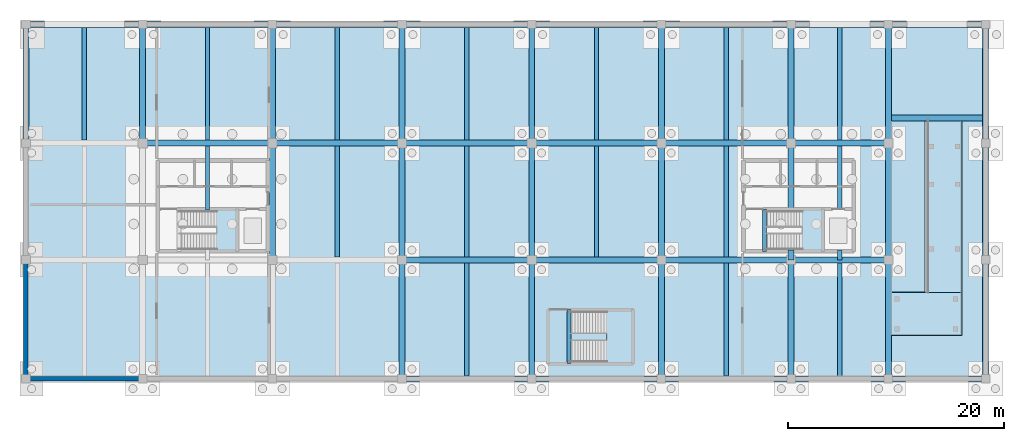
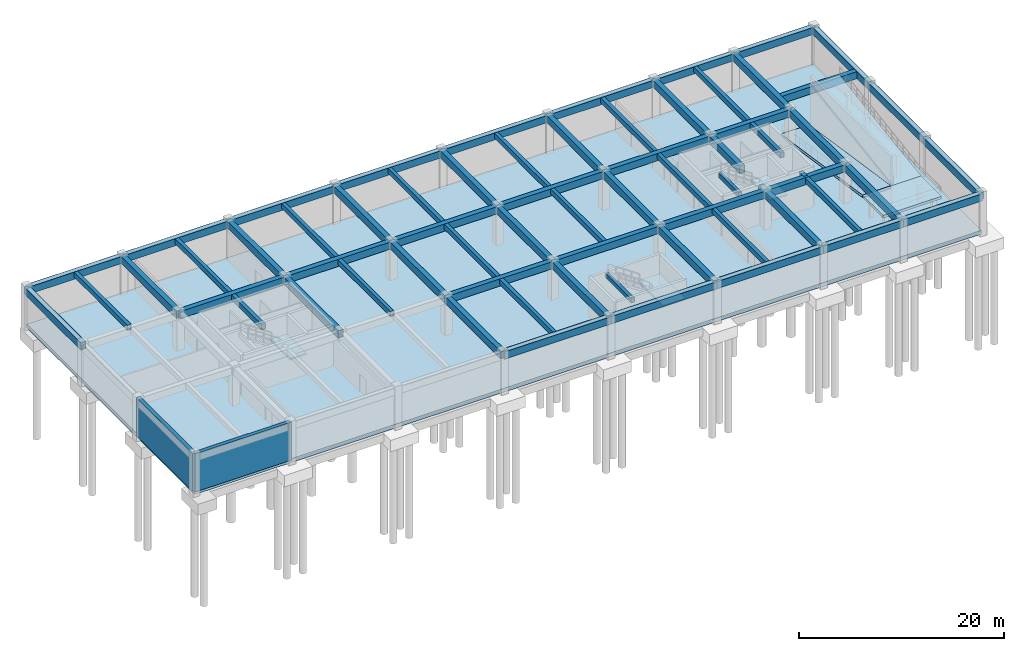
# One storey, part 3 of 8: 66 beams, 7 slabs, 2 walls, 3 elements without a shape of their own.
"""IFC4 building model written with IfcOpenShell, lengths in metres."""

from ifc_helpers import new_model, si_unit, derived_unit, direction, frame, frame_2d, origin, origin_2d, place, context, subcontext, project, spatial, polyline, rectangle, outline, extrude, material, layer, layer_set, material_profile, profile_set, type_object, element, aggregate, save


model = new_model("IFC4")

# Units and contexts
model_context = context("Model", 3, precision=1e-05, world=origin(), true_north=direction((0.0, 1.0)))
body_context = subcontext(model_context, "Body", "Model", "MODEL_VIEW")
ifc_project = project(units=[si_unit("LENGTHUNIT", "METRE"), si_unit("AREAUNIT", "SQUARE_METRE"), si_unit("VOLUMEUNIT", "CUBIC_METRE"), si_unit("PLANEANGLEUNIT", "RADIAN"), si_unit("MASSUNIT", "GRAM", prefix="KILO"), derived_unit("THERMALTRANSMITTANCEUNIT", [(si_unit("POWERUNIT", "WATT"), 1), (si_unit("LENGTHUNIT", "METRE"), -2), (si_unit("THERMODYNAMICTEMPERATUREUNIT", "KELVIN"), -1)])], contexts=[model_context])

# Site, building, storey
site_placement = place(None, origin())
site = spatial("IfcSite", under=ifc_project, at=site_placement, CompositionType="ELEMENT")
building_placement = place(site_placement, origin())
building = spatial("IfcBuilding", under=site, at=building_placement, Name="Almenara Railside Exhibition Hall", CompositionType="ELEMENT")
storey_placement = place(building_placement, frame((0.0, 0.0, -4.800048828125)))
storey = spatial("IfcBuildingStorey", under=building, at=storey_placement, Name="B1", CompositionType="ELEMENT", Elevation=-4.800048828125)

# Beams
ifc_material_1 = material(Name="Concrete C35/45", Category="concrete")
ifc_material_profile_1 = material_profile(ifc_material_1, rectangle(XDim=0.550048828125, YDim=0.85009765625, at=origin_2d()), Name="RC 550x850")
ifc_profile_set_1 = profile_set([ifc_material_profile_1], Name="Concrete C35/45")
beam_type_1 = type_object("IfcBeamType", Name="RC Basement Girder 550x850 C35/45", PredefinedType="BEAM", material=ifc_profile_set_1)
for number, where, z_axis, x_axis, name in (
    (1, (150.0, 0.0, 4.111083984375), (1.0, 0.0, 0.0), (0.0, 1.0, 0.0), "Beam 0004"),
    (2, (162.0, 0.0, 4.111083984375), (1.0, 0.0, 0.0), (0.0, 1.0, 0.0), "Beam 0005"),
    (3, (174.0, 0.0, 4.111083984375), (1.0, 0.0, 0.0), (0.0, 1.0, 0.0), "Beam 0006"),
):
    element("IfcBeam", number, at=place(storey_placement, frame(where, z_axis=z_axis, x_axis=x_axis)), inside=storey, type_object=beam_type_1, Name=name, PredefinedType="BEAM", context=body_context, shape_type="SweptSolid", body=[
        extrude(rectangle(XDim=0.550048828125, YDim=0.85009765625, at=origin_2d()), origin(), (0.0, 0.0, 1.0), 12.0),
    ])
for number, where, z_axis, x_axis, name in (
    (4, (186.0, 0.0, 4.111083984375), (1.0, 0.0, 0.0), (0.0, 1.0, 0.0), "Beam 0007"),
    (5, (195.0, 0.0, 4.111083984375), (1.0, 0.0, 0.0), (0.0, 1.0, 0.0), "Beam 0008"),
):
    element("IfcBeam", number, at=place(storey_placement, frame(where, z_axis=z_axis, x_axis=x_axis)), inside=storey, type_object=beam_type_1, Name=name, PredefinedType="BEAM", context=body_context, shape_type="SweptSolid", body=[
        extrude(rectangle(XDim=0.550048828125, YDim=0.85009765625, at=origin_2d()), origin(), (0.0, 0.0, 1.0), 9.0),
    ])
for number, where, z_axis, x_axis, name in (
    (6, (150.0, 11.0, 4.111083984375), (1.0, 0.0, 0.0), (0.0, 1.0, 0.0), "Beam 0012"),
    (7, (162.0, 11.0, 4.111083984375), (1.0, 0.0, 0.0), (0.0, 1.0, 0.0), "Beam 0013"),
    (8, (174.0, 11.0, 4.111083984375), (1.0, 0.0, 0.0), (0.0, 1.0, 0.0), "Beam 0014"),
):
    element("IfcBeam", number, at=place(storey_placement, frame(where, z_axis=z_axis, x_axis=x_axis)), inside=storey, type_object=beam_type_1, Name=name, PredefinedType="BEAM", context=body_context, shape_type="SweptSolid", body=[
        extrude(rectangle(XDim=0.550048828125, YDim=0.85009765625, at=origin_2d()), origin(), (0.0, 0.0, 1.0), 12.0),
    ])
beam_1_placement = place(storey_placement, frame((186.0, 11.0, 4.111083984375), z_axis=(1.0, 0.0, 0.0), x_axis=(0.0, 1.0, 0.0)))
element("IfcBeam", 9, at=beam_1_placement, inside=storey, type_object=beam_type_1, Name="Beam 0015", PredefinedType="BEAM", context=body_context, shape_type="SweptSolid", body=[
    extrude(rectangle(XDim=0.550048828125, YDim=0.85009765625, at=origin_2d()), origin(), (0.0, 0.0, 1.0), 9.0),
])
for number, where, z_axis, x_axis, name in (
    (10, (126.0, 21.800048828125, 4.111083984375), (1.0, 0.0, 0.0), (0.0, 1.0, 0.0), "Beam 0017"),
    (11, (138.0, 21.800048828125, 4.111083984375), (1.0, 0.0, 0.0), (0.0, 1.0, 0.0), "Beam 0018"),
    (12, (150.0, 21.800048828125, 4.111083984375), (1.0, 0.0, 0.0), (0.0, 1.0, 0.0), "Beam 0019"),
    (13, (162.0, 21.800048828125, 4.111083984375), (1.0, 0.0, 0.0), (0.0, 1.0, 0.0), "Beam 0020"),
    (14, (174.0, 21.800048828125, 4.111083984375), (1.0, 0.0, 0.0), (0.0, 1.0, 0.0), "Beam 0021"),
):
    element("IfcBeam", number, at=place(storey_placement, frame(where, z_axis=z_axis, x_axis=x_axis)), inside=storey, type_object=beam_type_1, Name=name, PredefinedType="BEAM", context=body_context, shape_type="SweptSolid", body=[
        extrude(rectangle(XDim=0.550048828125, YDim=0.85009765625, at=origin_2d()), origin(), (0.0, 0.0, 1.0), 12.0),
    ])
beam_2_placement = place(storey_placement, frame((186.0, 21.800048828125, 4.111083984375), z_axis=(1.0, 0.0, 0.0), x_axis=(0.0, 1.0, 0.0)))
element("IfcBeam", 15, at=beam_2_placement, inside=storey, type_object=beam_type_1, Name="Beam 0022", PredefinedType="BEAM", context=body_context, shape_type="SweptSolid", body=[
    extrude(rectangle(XDim=0.550048828125, YDim=0.85009765625, at=origin_2d()), origin(), (0.0, 0.0, 1.0), 9.0),
])
beam_3_placement = place(storey_placement, frame((115.199951171875, 32.800048828125, 4.111083984375), z_axis=(1.0, 0.0, 0.0), x_axis=(0.0, 1.0, 0.0)))
element("IfcBeam", 16, at=beam_3_placement, inside=storey, type_object=beam_type_1, Name="Beam 0023", PredefinedType="BEAM", context=body_context, shape_type="SweptSolid", body=[
    extrude(rectangle(XDim=0.550048828125, YDim=0.85009765625, at=origin_2d()), origin(), (0.0, 0.0, 1.0), 10.800048828125),
])
for number, where, z_axis, x_axis, name in (
    (17, (126.0, 32.800048828125, 4.111083984375), (1.0, 0.0, 0.0), (0.0, 1.0, 0.0), "Beam 0024"),
    (18, (138.0, 32.800048828125, 4.111083984375), (1.0, 0.0, 0.0), (0.0, 1.0, 0.0), "Beam 0025"),
    (19, (150.0, 32.800048828125, 4.111083984375), (1.0, 0.0, 0.0), (0.0, 1.0, 0.0), "Beam 0026"),
    (20, (162.0, 32.800048828125, 4.111083984375), (1.0, 0.0, 0.0), (0.0, 1.0, 0.0), "Beam 0027"),
    (21, (174.0, 32.800048828125, 4.111083984375), (1.0, 0.0, 0.0), (0.0, 1.0, 0.0), "Beam 0028"),
):
    element("IfcBeam", number, at=place(storey_placement, frame(where, z_axis=z_axis, x_axis=x_axis)), inside=storey, type_object=beam_type_1, Name=name, PredefinedType="BEAM", context=body_context, shape_type="SweptSolid", body=[
        extrude(rectangle(XDim=0.550048828125, YDim=0.85009765625, at=origin_2d()), origin(), (0.0, 0.0, 1.0), 12.0),
    ])
for number, where, z_axis, x_axis, name in (
    (22, (186.0, 32.800048828125, 4.111083984375), (1.0, 0.0, 0.0), (0.0, 1.0, 0.0), "Beam 0029"),
    (23, (195.0, 32.800048828125, 4.111083984375), (1.0, 0.0, 0.0), (0.0, 1.0, 0.0), "Beam 0030"),
):
    element("IfcBeam", number, at=place(storey_placement, frame(where, z_axis=z_axis, x_axis=x_axis)), inside=storey, type_object=beam_type_1, Name=name, PredefinedType="BEAM", context=body_context, shape_type="SweptSolid", body=[
        extrude(rectangle(XDim=0.550048828125, YDim=0.85009765625, at=origin_2d()), origin(), (0.0, 0.0, 1.0), 9.0),
    ])
for number, where, z_axis, x_axis, name in (
    (24, (115.199951171875, 21.800048828125, 4.111083984375), (0.0, 1.0, 0.0), (-1.0, 0.0, 0.0), "Beam 0033"),
    (25, (126.0, 21.800048828125, 4.111083984375), (0.0, 1.0, 0.0), (-1.0, 0.0, 0.0), "Beam 0036"),
):
    element("IfcBeam", number, at=place(storey_placement, frame(where, z_axis=z_axis, x_axis=x_axis)), inside=storey, type_object=beam_type_1, Name=name, PredefinedType="BEAM", context=body_context, shape_type="SweptSolid", body=[
        extrude(rectangle(XDim=0.550048828125, YDim=0.85009765625, at=origin_2d()), origin(), (0.0, 0.0, 1.0), 11.0),
    ])
beam_4_placement = place(storey_placement, frame((138.0, 11.0, 4.111083984375), z_axis=(0.0, 1.0, 0.0), x_axis=(-1.0, 0.0, 0.0)))
element("IfcBeam", 26, at=beam_4_placement, inside=storey, type_object=beam_type_1, Name="Beam 0038", PredefinedType="BEAM", context=body_context, shape_type="SweptSolid", body=[
    extrude(rectangle(XDim=0.550048828125, YDim=0.85009765625, at=origin_2d()), origin(), (0.0, 0.0, 1.0), 10.800048828125),
])
for number, where, z_axis, x_axis, name in (
    (27, (138.0, 21.800048828125, 4.111083984375), (0.0, 1.0, 0.0), (-1.0, 0.0, 0.0), "Beam 0039"),
    (28, (150.0, 0.0, 4.111083984375), (0.0, 1.0, 0.0), (-1.0, 0.0, 0.0), "Beam 0040"),
):
    element("IfcBeam", number, at=place(storey_placement, frame(where, z_axis=z_axis, x_axis=x_axis)), inside=storey, type_object=beam_type_1, Name=name, PredefinedType="BEAM", context=body_context, shape_type="SweptSolid", body=[
        extrude(rectangle(XDim=0.550048828125, YDim=0.85009765625, at=origin_2d()), origin(), (0.0, 0.0, 1.0), 11.0),
    ])
beam_5_placement = place(storey_placement, frame((150.0, 11.0, 4.111083984375), z_axis=(0.0, 1.0, 0.0), x_axis=(-1.0, 0.0, 0.0)))
element("IfcBeam", 29, at=beam_5_placement, inside=storey, type_object=beam_type_1, Name="Beam 0041", PredefinedType="BEAM", context=body_context, shape_type="SweptSolid", body=[
    extrude(rectangle(XDim=0.550048828125, YDim=0.85009765625, at=origin_2d()), origin(), (0.0, 0.0, 1.0), 10.800048828125),
])
for number, where, z_axis, x_axis, name in (
    (30, (150.0, 21.800048828125, 4.111083984375), (0.0, 1.0, 0.0), (-1.0, 0.0, 0.0), "Beam 0042"),
    (31, (162.0, 0.0, 4.111083984375), (0.0, 1.0, 0.0), (-1.0, 0.0, 0.0), "Beam 0043"),
):
    element("IfcBeam", number, at=place(storey_placement, frame(where, z_axis=z_axis, x_axis=x_axis)), inside=storey, type_object=beam_type_1, Name=name, PredefinedType="BEAM", context=body_context, shape_type="SweptSolid", body=[
        extrude(rectangle(XDim=0.550048828125, YDim=0.85009765625, at=origin_2d()), origin(), (0.0, 0.0, 1.0), 11.0),
    ])
beam_6_placement = place(storey_placement, frame((162.0, 11.0, 4.111083984375), z_axis=(0.0, 1.0, 0.0), x_axis=(-1.0, 0.0, 0.0)))
element("IfcBeam", 32, at=beam_6_placement, inside=storey, type_object=beam_type_1, Name="Beam 0044", PredefinedType="BEAM", context=body_context, shape_type="SweptSolid", body=[
    extrude(rectangle(XDim=0.550048828125, YDim=0.85009765625, at=origin_2d()), origin(), (0.0, 0.0, 1.0), 10.800048828125),
])
for number, where, z_axis, x_axis, name in (
    (33, (162.0, 21.800048828125, 4.111083984375), (0.0, 1.0, 0.0), (-1.0, 0.0, 0.0), "Beam 0045"),
    (34, (174.0, 0.0, 4.111083984375), (0.0, 1.0, 0.0), (-1.0, 0.0, 0.0), "Beam 0046"),
):
    element("IfcBeam", number, at=place(storey_placement, frame(where, z_axis=z_axis, x_axis=x_axis)), inside=storey, type_object=beam_type_1, Name=name, PredefinedType="BEAM", context=body_context, shape_type="SweptSolid", body=[
        extrude(rectangle(XDim=0.550048828125, YDim=0.85009765625, at=origin_2d()), origin(), (0.0, 0.0, 1.0), 11.0),
    ])
beam_7_placement = place(storey_placement, frame((174.0, 11.0, 4.111083984375), z_axis=(0.0, 1.0, 0.0), x_axis=(-1.0, 0.0, 0.0)))
element("IfcBeam", 35, at=beam_7_placement, inside=storey, type_object=beam_type_1, Name="Beam 0047", PredefinedType="BEAM", context=body_context, shape_type="SweptSolid", body=[
    extrude(rectangle(XDim=0.550048828125, YDim=0.85009765625, at=origin_2d()), origin(), (0.0, 0.0, 1.0), 10.800048828125),
])
for number, where, z_axis, x_axis, name in (
    (36, (174.0, 21.800048828125, 4.111083984375), (0.0, 1.0, 0.0), (-1.0, 0.0, 0.0), "Beam 0048"),
    (37, (186.0, 0.0, 4.111083984375), (0.0, 1.0, 0.0), (-1.0, 0.0, 0.0), "Beam 0049"),
):
    element("IfcBeam", number, at=place(storey_placement, frame(where, z_axis=z_axis, x_axis=x_axis)), inside=storey, type_object=beam_type_1, Name=name, PredefinedType="BEAM", context=body_context, shape_type="SweptSolid", body=[
        extrude(rectangle(XDim=0.550048828125, YDim=0.85009765625, at=origin_2d()), origin(), (0.0, 0.0, 1.0), 11.0),
    ])
beam_8_placement = place(storey_placement, frame((186.0, 11.0, 4.111083984375), z_axis=(0.0, 1.0, 0.0), x_axis=(-1.0, 0.0, 0.0)))
element("IfcBeam", 38, at=beam_8_placement, inside=storey, type_object=beam_type_1, Name="Beam 0050", PredefinedType="BEAM", context=body_context, shape_type="SweptSolid", body=[
    extrude(rectangle(XDim=0.550048828125, YDim=0.85009765625, at=origin_2d()), origin(), (0.0, 0.0, 1.0), 0.89990234375),
])
beam_9_placement = place(storey_placement, frame((186.0, 15.6201171875, 4.111083984375), z_axis=(0.0, 1.0, 0.0), x_axis=(-1.0, 0.0, 0.0)))
element("IfcBeam", 39, at=beam_9_placement, inside=storey, type_object=beam_type_1, Name="Beam 0051", PredefinedType="BEAM", context=body_context, shape_type="SweptSolid", body=[
    extrude(rectangle(XDim=0.550048828125, YDim=0.85009765625, at=origin_2d()), origin(), (0.0, 0.0, 1.0), 6.179931640625),
])
for number, where, z_axis, x_axis, name in (
    (40, (186.0, 21.800048828125, 4.111083984375), (0.0, 1.0, 0.0), (-1.0, 0.0, 0.0), "Beam 0052"),
    (41, (195.0, 0.0, 4.111083984375), (0.0, 1.0, 0.0), (-1.0, 0.0, 0.0), "Beam 0053"),
):
    element("IfcBeam", number, at=place(storey_placement, frame(where, z_axis=z_axis, x_axis=x_axis)), inside=storey, type_object=beam_type_1, Name=name, PredefinedType="BEAM", context=body_context, shape_type="SweptSolid", body=[
        extrude(rectangle(XDim=0.550048828125, YDim=0.85009765625, at=origin_2d()), origin(), (0.0, 0.0, 1.0), 11.0),
    ])
beam_10_placement = place(storey_placement, frame((195.0, 11.0, 4.111083984375), z_axis=(0.0, 1.0, 0.0), x_axis=(-1.0, 0.0, 0.0)))
element("IfcBeam", 42, at=beam_10_placement, inside=storey, type_object=beam_type_1, Name="Beam 0054", PredefinedType="BEAM", context=body_context, shape_type="SweptSolid", body=[
    extrude(rectangle(XDim=0.550048828125, YDim=0.85009765625, at=origin_2d()), origin(), (0.0, 0.0, 1.0), 10.800048828125),
])
for number, where, z_axis, x_axis, name in (
    (43, (195.0, 21.800048828125, 4.111083984375), (0.0, 1.0, 0.0), (-1.0, 0.0, 0.0), "Beam 0055"),
    (44, (204.0, 0.0, 4.111083984375), (0.0, 1.0, 0.0), (-1.0, 0.0, 0.0), "Beam 0056"),
):
    element("IfcBeam", number, at=place(storey_placement, frame(where, z_axis=z_axis, x_axis=x_axis)), inside=storey, type_object=beam_type_1, Name=name, PredefinedType="BEAM", context=body_context, shape_type="SweptSolid", body=[
        extrude(rectangle(XDim=0.550048828125, YDim=0.85009765625, at=origin_2d()), origin(), (0.0, 0.0, 1.0), 11.0),
    ])
beam_11_placement = place(storey_placement, frame((204.0, 11.0, 4.111083984375), z_axis=(0.0, 1.0, 0.0), x_axis=(-1.0, 0.0, 0.0)))
element("IfcBeam", 45, at=beam_11_placement, inside=storey, type_object=beam_type_1, Name="Beam 0057", PredefinedType="BEAM", context=body_context, shape_type="SweptSolid", body=[
    extrude(rectangle(XDim=0.550048828125, YDim=0.85009765625, at=origin_2d()), origin(), (0.0, 0.0, 1.0), 10.800048828125),
])
beam_12_placement = place(storey_placement, frame((204.0, 21.800048828125, 4.111083984375), z_axis=(0.0, 1.0, 0.0), x_axis=(-1.0, 0.0, 0.0)))
element("IfcBeam", 46, at=beam_12_placement, inside=storey, type_object=beam_type_1, Name="Beam 0058", PredefinedType="BEAM", context=body_context, shape_type="SweptSolid", body=[
    extrude(rectangle(XDim=0.550048828125, YDim=0.85009765625, at=origin_2d()), origin(), (0.0, 0.0, 1.0), 11.0),
])
beam_13_placement = place(storey_placement, frame((195.27490234375, 24.14990234375, 4.111083984375), z_axis=(1.0, 0.0, 0.0), x_axis=(0.0, 1.0, 0.0)))
element("IfcBeam", 47, at=beam_13_placement, inside=storey, type_object=beam_type_1, Name="BM-CR-HDR", PredefinedType="BEAM", context=body_context, shape_type="SweptSolid", body=[
    extrude(rectangle(XDim=0.550048828125, YDim=0.85009765625, at=origin_2d()), origin(), (0.0, 0.0, 1.0), 8.4501953125),
])
ifc_material_profile_2 = material_profile(ifc_material_1, rectangle(XDim=0.39990234375, YDim=0.60009765625, at=origin_2d()), Name="RC 400x600")
ifc_profile_set_2 = profile_set([ifc_material_profile_2], Name="Concrete C35/45")
beam_type_2 = type_object("IfcBeamType", Name="RC Secondary Beam 400x600 C35/45", PredefinedType="BEAM", material=ifc_profile_set_2)
beam_14_placement = place(storey_placement, frame((120.60009765625, 22.074951171875, 4.236083984375), z_axis=(0.0, 1.0, 0.0), x_axis=(-1.0, 0.0, 0.0)))
element("IfcBeam", 48, at=beam_14_placement, inside=storey, type_object=beam_type_2, Name="Beam 0061", PredefinedType="BEAM", context=body_context, shape_type="SweptSolid", body=[
    extrude(rectangle(XDim=0.39990234375, YDim=0.60009765625, at=origin_2d()), origin(), (0.0, 0.0, 1.0), 10.449951171875),
])
beam_15_placement = place(storey_placement, frame((132.0, 15.6201171875, 4.236083984375), z_axis=(0.0, 1.0, 0.0), x_axis=(-1.0, 0.0, 0.0)))
element("IfcBeam", 49, at=beam_15_placement, inside=storey, type_object=beam_type_2, Name="Beam 0064", PredefinedType="BEAM", context=body_context, shape_type="SweptSolid", body=[
    extrude(rectangle(XDim=0.39990234375, YDim=0.60009765625, at=origin_2d()), origin(), (0.0, 0.0, 1.0), 5.90478515625),
])
beam_16_placement = place(storey_placement, frame((132.0, 22.074951171875, 4.236083984375), z_axis=(0.0, 1.0, 0.0), x_axis=(-1.0, 0.0, 0.0)))
element("IfcBeam", 50, at=beam_16_placement, inside=storey, type_object=beam_type_2, Name="Beam 0065", PredefinedType="BEAM", context=body_context, shape_type="SweptSolid", body=[
    extrude(rectangle(XDim=0.39990234375, YDim=0.60009765625, at=origin_2d()), origin(), (0.0, 0.0, 1.0), 10.449951171875),
])
beam_17_placement = place(storey_placement, frame((144.0, 11.27490234375, 4.236083984375), z_axis=(0.0, 1.0, 0.0), x_axis=(-1.0, 0.0, 0.0)))
element("IfcBeam", 51, at=beam_17_placement, inside=storey, type_object=beam_type_2, Name="Beam 0067", PredefinedType="BEAM", context=body_context, shape_type="SweptSolid", body=[
    extrude(rectangle(XDim=0.39990234375, YDim=0.60009765625, at=origin_2d()), origin(), (0.0, 0.0, 1.0), 10.25),
])
beam_18_placement = place(storey_placement, frame((144.0, 22.074951171875, 4.236083984375), z_axis=(0.0, 1.0, 0.0), x_axis=(-1.0, 0.0, 0.0)))
element("IfcBeam", 52, at=beam_18_placement, inside=storey, type_object=beam_type_2, Name="Beam 0068", PredefinedType="BEAM", context=body_context, shape_type="SweptSolid", body=[
    extrude(rectangle(XDim=0.39990234375, YDim=0.60009765625, at=origin_2d()), origin(), (0.0, 0.0, 1.0), 10.449951171875),
])
beam_19_placement = place(storey_placement, frame((156.0, 0.27490234375, 4.236083984375), z_axis=(0.0, 1.0, 0.0), x_axis=(-1.0, 0.0, 0.0)))
element("IfcBeam", 53, at=beam_19_placement, inside=storey, type_object=beam_type_2, Name="Beam 0069", PredefinedType="BEAM", context=body_context, shape_type="SweptSolid", body=[
    extrude(rectangle(XDim=0.39990234375, YDim=0.60009765625, at=origin_2d()), origin(), (0.0, 0.0, 1.0), 10.4501953125),
])
beam_20_placement = place(storey_placement, frame((156.0, 11.27490234375, 4.236083984375), z_axis=(0.0, 1.0, 0.0), x_axis=(-1.0, 0.0, 0.0)))
element("IfcBeam", 54, at=beam_20_placement, inside=storey, type_object=beam_type_2, Name="Beam 0070", PredefinedType="BEAM", context=body_context, shape_type="SweptSolid", body=[
    extrude(rectangle(XDim=0.39990234375, YDim=0.60009765625, at=origin_2d()), origin(), (0.0, 0.0, 1.0), 10.25),
])
beam_21_placement = place(storey_placement, frame((156.0, 22.074951171875, 4.236083984375), z_axis=(0.0, 1.0, 0.0), x_axis=(-1.0, 0.0, 0.0)))
element("IfcBeam", 55, at=beam_21_placement, inside=storey, type_object=beam_type_2, Name="Beam 0071", PredefinedType="BEAM", context=body_context, shape_type="SweptSolid", body=[
    extrude(rectangle(XDim=0.39990234375, YDim=0.60009765625, at=origin_2d()), origin(), (0.0, 0.0, 1.0), 10.449951171875),
])
beam_22_placement = place(storey_placement, frame((168.0, 11.27490234375, 4.236083984375), z_axis=(0.0, 1.0, 0.0), x_axis=(-1.0, 0.0, 0.0)))
element("IfcBeam", 56, at=beam_22_placement, inside=storey, type_object=beam_type_2, Name="Beam 0073", PredefinedType="BEAM", context=body_context, shape_type="SweptSolid", body=[
    extrude(rectangle(XDim=0.39990234375, YDim=0.60009765625, at=origin_2d()), origin(), (0.0, 0.0, 1.0), 10.25),
])
beam_23_placement = place(storey_placement, frame((168.0, 22.074951171875, 4.236083984375), z_axis=(0.0, 1.0, 0.0), x_axis=(-1.0, 0.0, 0.0)))
element("IfcBeam", 57, at=beam_23_placement, inside=storey, type_object=beam_type_2, Name="Beam 0074", PredefinedType="BEAM", context=body_context, shape_type="SweptSolid", body=[
    extrude(rectangle(XDim=0.39990234375, YDim=0.60009765625, at=origin_2d()), origin(), (0.0, 0.0, 1.0), 10.449951171875),
])
beam_24_placement = place(storey_placement, frame((180.0, 0.27490234375, 4.236083984375), z_axis=(0.0, 1.0, 0.0), x_axis=(-1.0, 0.0, 0.0)))
element("IfcBeam", 58, at=beam_24_placement, inside=storey, type_object=beam_type_2, Name="Beam 0075", PredefinedType="BEAM", context=body_context, shape_type="SweptSolid", body=[
    extrude(rectangle(XDim=0.39990234375, YDim=0.60009765625, at=origin_2d()), origin(), (0.0, 0.0, 1.0), 10.4501953125),
])
beam_25_placement = place(storey_placement, frame((180.0, 11.27490234375, 4.236083984375), z_axis=(0.0, 1.0, 0.0), x_axis=(-1.0, 0.0, 0.0)))
element("IfcBeam", 59, at=beam_25_placement, inside=storey, type_object=beam_type_2, Name="Beam 0076", PredefinedType="BEAM", context=body_context, shape_type="SweptSolid", body=[
    extrude(rectangle(XDim=0.39990234375, YDim=0.60009765625, at=origin_2d()), origin(), (0.0, 0.0, 1.0), 10.25),
])
beam_26_placement = place(storey_placement, frame((180.0, 22.074951171875, 4.236083984375), z_axis=(0.0, 1.0, 0.0), x_axis=(-1.0, 0.0, 0.0)))
element("IfcBeam", 60, at=beam_26_placement, inside=storey, type_object=beam_type_2, Name="Beam 0077", PredefinedType="BEAM", context=body_context, shape_type="SweptSolid", body=[
    extrude(rectangle(XDim=0.39990234375, YDim=0.60009765625, at=origin_2d()), origin(), (0.0, 0.0, 1.0), 10.449951171875),
])
beam_27_placement = place(storey_placement, frame((190.5, 0.27490234375, 4.236083984375), z_axis=(0.0, 1.0, 0.0), x_axis=(-1.0, 0.0, 0.0)))
element("IfcBeam", 61, at=beam_27_placement, inside=storey, type_object=beam_type_2, Name="Beam 0078", PredefinedType="BEAM", context=body_context, shape_type="SweptSolid", body=[
    extrude(rectangle(XDim=0.39990234375, YDim=0.60009765625, at=origin_2d()), origin(), (0.0, 0.0, 1.0), 10.4501953125),
])
beam_28_placement = place(storey_placement, frame((190.5, 11.0, 4.236083984375), z_axis=(0.0, 1.0, 0.0), x_axis=(-1.0, 0.0, 0.0)))
element("IfcBeam", 62, at=beam_28_placement, inside=storey, type_object=beam_type_2, Name="Beam 0079", PredefinedType="BEAM", context=body_context, shape_type="SweptSolid", body=[
    extrude(rectangle(XDim=0.39990234375, YDim=0.60009765625, at=origin_2d()), origin(), (0.0, 0.0, 1.0), 0.89990234375),
])
beam_29_placement = place(storey_placement, frame((190.5, 15.6201171875, 4.236083984375), z_axis=(0.0, 1.0, 0.0), x_axis=(-1.0, 0.0, 0.0)))
element("IfcBeam", 63, at=beam_29_placement, inside=storey, type_object=beam_type_2, Name="Beam 0080", PredefinedType="BEAM", context=body_context, shape_type="SweptSolid", body=[
    extrude(rectangle(XDim=0.39990234375, YDim=0.60009765625, at=origin_2d()), origin(), (0.0, 0.0, 1.0), 5.90478515625),
])
beam_30_placement = place(storey_placement, frame((190.5, 22.074951171875, 4.236083984375), z_axis=(0.0, 1.0, 0.0), x_axis=(-1.0, 0.0, 0.0)))
element("IfcBeam", 64, at=beam_30_placement, inside=storey, type_object=beam_type_2, Name="Beam 0081", PredefinedType="BEAM", context=body_context, shape_type="SweptSolid", body=[
    extrude(rectangle(XDim=0.39990234375, YDim=0.60009765625, at=origin_2d()), origin(), (0.0, 0.0, 1.0), 10.449951171875),
])
ifc_material_profile_3 = material_profile(ifc_material_1, rectangle(XDim=0.35009765625, YDim=0.5, at=origin_2d()), Name="RC 350x500")
ifc_profile_set_3 = profile_set([ifc_material_profile_3], Name="Concrete C35/45")
beam_type_3 = type_object("IfcBeamType", Name="RC Spandrel Tie Beam 350x500 C35/45", PredefinedType="SPANDREL", material=ifc_profile_set_3)
beam_31_placement = place(storey_placement, frame((183.550048828125, 11.800048828125, 4.2861328125), z_axis=(0.0, 1.0, 0.0), x_axis=(-1.0, 0.0, 0.0)))
element("IfcBeam", 65, at=beam_31_placement, inside=storey, type_object=beam_type_3, Name="Stair trimmer ST-C6-B1", PredefinedType="SPANDREL", context=body_context, shape_type="SweptSolid", body=[
    extrude(rectangle(XDim=0.35009765625, YDim=0.5, at=origin_2d()), origin(), (0.0, 0.0, 1.0), 3.89990234375),
])
beam_32_placement = place(storey_placement, frame((165.449951171875, 1.39990234375, 4.2861328125), z_axis=(0.0, 1.0, 0.0), x_axis=(-1.0, 0.0, 0.0)))
element("IfcBeam", 66, at=beam_32_placement, inside=storey, type_object=beam_type_3, Name="Stair trimmer HST4-B1", PredefinedType="SPANDREL", context=body_context, shape_type="SweptSolid", body=[
    extrude(rectangle(XDim=0.35009765625, YDim=0.5, at=origin_2d()), origin(), (0.0, 0.0, 1.0), 5.0),
])

# Slabs
ifc_layer_1 = layer(ifc_material_1, 0.300048828125, Name="Concrete C35/45")
ifc_layer_set_1 = layer_set([ifc_layer_1], Name="Concrete C35/45")
slab_type_1 = type_object("IfcSlabType", Name="Basement Car Park Lower Vehicle Ramp Slab 300mm C35/45", PredefinedType="USERDEFINED", material=ifc_layer_set_1)
slab_1_placement = place(storey_placement, frame((198.39990234375, 23.998046875, 0.0), z_axis=(0.0, 0.148748855296, 0.988875006281), x_axis=(-1.0, 0.0, 0.0)))
element("IfcSlab", 67, at=slab_1_placement, inside=storey, type_object=slab_type_1, Name="Basement Car Park Vehicle Ramp Slab CR-01A", ObjectType="APPROACH_SLAB", PredefinedType="USERDEFINED", context=body_context, shape_type="SweptSolid", body=[
    extrude(outline(polyline([(0.0, 0.0), (3.199951171875, 0.0), (3.199951171875, 16.135562721422158), (0.0, 16.135562721422158), (0.0, 0.0)])), origin(), (0.0, 0.0, -1.0), 0.300048828125),
])
ifc_layer_2 = layer(ifc_material_1, 0.300048828125, Name="Concrete C35/45")
ifc_layer_set_2 = layer_set([ifc_layer_2], Name="Concrete C35/45")
slab_type_2 = type_object("IfcSlabType", Name="Basement Car Park Upper Vehicle Ramp Slab 300mm C35/45", PredefinedType="USERDEFINED", material=ifc_layer_set_2)
slab_2_placement = place(storey_placement, frame((198.60009765625, 7.998046875, 2.400146484375), z_axis=(0.0, -0.148698461328, 0.988882585345), x_axis=(1.0, 0.0, 0.0)))
element("IfcSlab", 68, at=slab_2_placement, inside=storey, type_object=slab_type_2, Name="Basement Car Park Vehicle Ramp Slab CR-01B", ObjectType="APPROACH_SLAB", PredefinedType="USERDEFINED", context=body_context, shape_type="SweptSolid", body=[
    extrude(outline(polyline([(0.0, 0.0), (3.199951171875, 0.0), (3.199951171875, 16.139389219733893), (0.0, 16.139389219733893), (0.0, 0.0)])), origin(), (0.0, 0.0, -1.0), 0.300048828125),
])
ifc_layer_3 = layer(ifc_material_1, 0.449951171875, Name="Concrete C35/45")
ifc_layer_set_3 = layer_set([ifc_layer_3], Name="Concrete C35/45")
slab_type_3 = type_object("IfcSlabType", Name="Basement Tanked Base Slab 450mm C35/45", PredefinedType="BASESLAB", material=ifc_layer_set_3)
slab_3_placement = place(storey_placement, frame((0.0, 0.0, -0.449951171875)))
element("IfcSlab", 69, at=slab_3_placement, inside=storey, type_object=slab_type_3, Name="Basement slab 001", PredefinedType="BASESLAB", context=body_context, shape_type="SweptSolid", body=[
    extrude(outline(polyline([(115.199951171875, 0.0), (204.0, 0.0), (204.0, 32.800048828125), (115.199951171875, 32.800048828125), (115.199951171875, 0.0)])), origin(), (0.0, 0.0, 1.0), 0.449951171875),
])
ifc_material_2 = material(Name="Concrete C40/50", Category="concrete")
ifc_layer_4 = layer(ifc_material_2, 0.324951171875, Name="Concrete C40/50")
ifc_layer_set_4 = layer_set([ifc_layer_4], Name="Concrete C40/50")
slab_type_4 = type_object("IfcSlabType", Name="Ramp Structural Landing Slab 325mm C40/50", PredefinedType="LANDING", material=ifc_layer_set_4)
slab_4_placement = place(storey_placement, frame((0.0, 0.0, 2.074951171875)))
element("IfcSlab", 70, at=slab_4_placement, inside=storey, type_object=slab_type_4, Name="Basement Car Vehicle Ramp Mid-Landing CR-L1", PredefinedType="LANDING", context=body_context, shape_type="SweptSolid", body=[
    extrude(outline(polyline([(195.199951171875, 4.0), (201.800048828125, 4.0), (201.800048828125, 8.0), (195.199951171875, 8.0), (195.199951171875, 4.0)])), origin(), (0.0, 0.0, 1.0), 0.3251953125),
])

# Stair, slab
stair_type_1 = type_object("IfcStairType", Name="Core Dog-Leg Escape Stair 1520mm", PredefinedType="TWO_STRAIGHT_RUN_STAIR", material=ifc_material_1)
stair_1_placement = place(storey_placement, origin())
stair_1 = element("IfcStair", 71, at=stair_1_placement, inside=storey, type_object=stair_type_1, Name="Escape stair ST-C5-B1", PredefinedType="TWO_STRAIGHT_RUN_STAIR")
ifc_layer_5 = layer(ifc_material_1, 0.199951171875, Name="Concrete C35/45")
ifc_layer_set_5 = layer_set([ifc_layer_5], Name="Concrete C35/45")
slab_type_5 = type_object("IfcSlabType", Name="Stair Half-Landing Slab 200mm C35/45", PredefinedType="LANDING", material=ifc_layer_set_5)
slab_5_placement = place(storey_placement, frame((0.0, 0.0, 2.199951171875)))
slab_5 = element("IfcSlab", 72, at=slab_5_placement, type_object=slab_type_5, Name="ST-C5-B1 landing 1", PredefinedType="LANDING", context=body_context, shape_type="SweptSolid", body=[
    extrude(outline(polyline([(132.820068359375, 11.85009765625), (134.68994140625, 11.85009765625), (134.68994140625, 15.679931640625), (132.820068359375, 15.679931640625), (132.820068359375, 11.85009765625)])), origin(), (0.0, 0.0, 1.0), 0.2001953125),
])
aggregate(stair_1, [slab_5])

stair_2_placement = place(storey_placement, origin())
stair_2 = element("IfcStair", 73, at=stair_2_placement, inside=storey, type_object=stair_type_1, Name="Escape stair ST-C6-B1", PredefinedType="TWO_STRAIGHT_RUN_STAIR")
slab_6_placement = place(storey_placement, frame((0.0, 0.0, 2.199951171875)))
slab_6 = element("IfcSlab", 74, at=slab_6_placement, type_object=slab_type_5, Name="ST-C6-B1 landing 1", PredefinedType="LANDING", context=body_context, shape_type="SweptSolid", body=[
    extrude(outline(polyline([(187.02001953125, 11.85009765625), (188.889892578125, 11.85009765625), (188.889892578125, 15.679931640625), (187.02001953125, 15.679931640625), (187.02001953125, 11.85009765625)])), origin(), (0.0, 0.0, 1.0), 0.2001953125),
])
aggregate(stair_2, [slab_6])

stair_type_2 = type_object("IfcStairType", Name="Hall Escape Dog-Leg Stair 2100mm", PredefinedType="TWO_STRAIGHT_RUN_STAIR", material=ifc_material_1)
stair_3_placement = place(storey_placement, origin())
stair_3 = element("IfcStair", 75, at=stair_3_placement, inside=storey, type_object=stair_type_2, Name="Escape stair HST4-B1", PredefinedType="TWO_STRAIGHT_RUN_STAIR")
slab_7_placement = place(storey_placement, frame((0.0, 0.0, 2.199951171875)))
slab_7 = element("IfcSlab", 76, at=slab_7_placement, type_object=slab_type_5, Name="HST4-B1 landing 1", PredefinedType="LANDING", context=body_context, shape_type="SweptSolid", body=[
    extrude(outline(polyline([(168.919921875, 1.449951171875), (171.43994140625, 1.449951171875), (171.43994140625, 6.3798828125), (168.919921875, 6.3798828125), (168.919921875, 1.449951171875)])), origin(), (0.0, 0.0, 1.0), 0.2001953125),
])
aggregate(stair_3, [slab_7])

# Walls
ifc_layer_6 = layer(ifc_material_1, 0.419921875, Name="Concrete C35/45")
ifc_layer_set_6 = layer_set([ifc_layer_6], Name="Concrete C35/45")
wall_type = type_object("IfcWallType", Name="Basement Tanked Retaining Wall 420mm C35/45", PredefinedType="STANDARD", material=ifc_layer_set_6)
wall_1_placement = place(storey_placement, frame((115.199951171875, 0.0, 0.0), z_axis=(0.0, 0.0, 1.0), x_axis=(1.0, 0.0, 0.0)))
element("IfcWall", 77, at=wall_1_placement, inside=storey, type_object=wall_type, Name="Exterior wall 0001", PredefinedType="STANDARD", context=body_context, shape_type="SweptSolid", body=[
    extrude(rectangle(XDim=10.800048828125, YDim=0.419921875, at=frame_2d((5.39990234375, 0.0))), origin(), (0.0, 0.0, 1.0), 4.5400390625),
])
wall_2_placement = place(storey_placement, frame((115.199951171875, 11.0, 0.0), z_axis=(0.0, 0.0, 1.0), x_axis=(0.0, -1.0, 0.0)))
element("IfcWall", 78, at=wall_2_placement, inside=storey, type_object=wall_type, Name="Exterior wall 0018", PredefinedType="STANDARD", context=body_context, shape_type="SweptSolid", body=[
    extrude(rectangle(XDim=11.0, YDim=0.419921875, at=frame_2d((5.5, 0.0))), origin(), (0.0, 0.0, 1.0), 4.5400390625),
])

save(model, "model.ifc")
